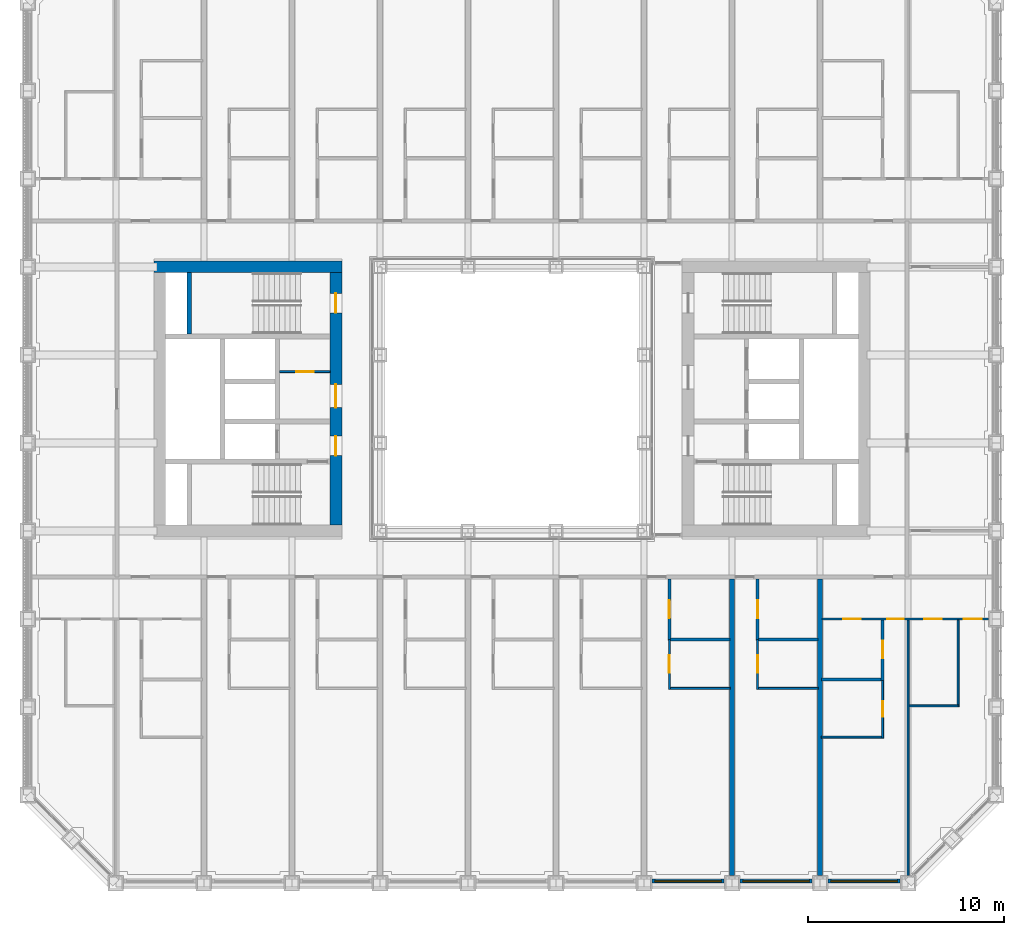
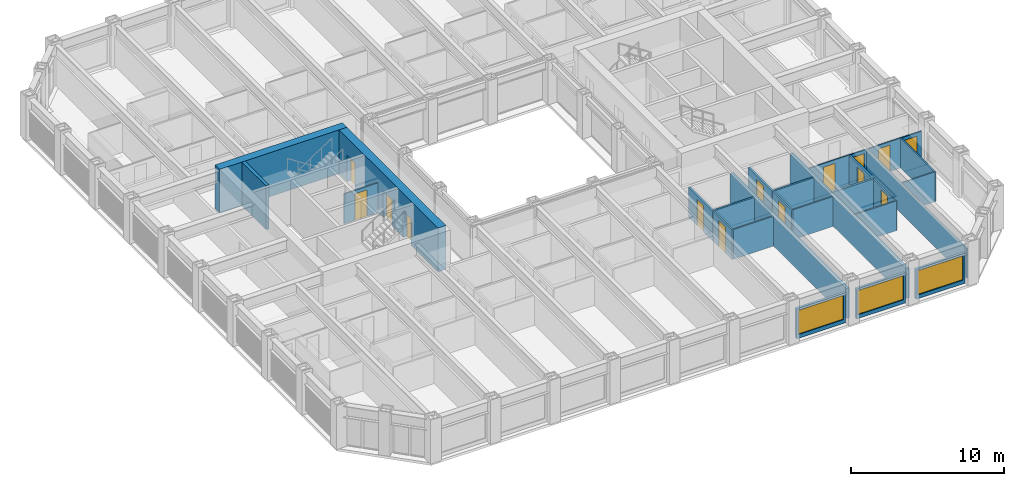
# One storey, part 11 of 21: 25 walls, 14 doors, 3 windows, 17 openings.
"""IFC4 building model written with IfcOpenShell, lengths in metres."""

import ifcopenshell
import ifcopenshell.guid

model = None  # the IFC model being written
_history = None  # IfcOwnerHistory: only IFC2X3 demands one
_inside = {}  # id of a spatial element -> (the spatial element, [elements in it])
_under = {}  # id of a project, library or spatial element -> (it, [spatial elements below it])
_declared = {}  # id of a project -> (the project, [libraries it declares])
_typed = {}  # id of a type object -> (the type object, [elements of that type])
_made_of = {}  # id of a material, layer set ... -> (it, [elements and type objects made of it])


def new_model(schema):
    """Start an empty IFC model of exactly this schema.

    Asked for "IFC4X3", IfcOpenShell would pick the latest addendum, in which some entities
    have other attributes; the version numbers below select the first issue.
    IFC2X3 requires an IfcOwnerHistory on every rooted entity: one is made here for all.
    """
    global model, _history
    if schema == "IFC4X3":
        model = ifcopenshell.file(schema_version=(4, 3, 0, 0))
    else:
        model = ifcopenshell.file(schema=schema)
    _inside.clear()
    _under.clear()
    _declared.clear()
    _typed.clear()
    _made_of.clear()
    _history = None
    if model.schema == "IFC2X3":
        org = make("IfcOrganization", Name="unknown")
        user = make(
            "IfcPersonAndOrganization",
            ThePerson=make("IfcPerson", FamilyName="unknown"),
            TheOrganization=org,
        )
        app = make(
            "IfcApplication",
            ApplicationDeveloper=org,
            Version="unknown",
            ApplicationFullName="unknown",
            ApplicationIdentifier="unknown",
        )
        _history = make(
            "IfcOwnerHistory",
            OwningUser=user,
            OwningApplication=app,
            ChangeAction="ADDED",
            CreationDate=0,
        )
    return model


def make(cls, **values):
    """One entity of the class cls with the attributes given. An attribute that is None is left unset."""
    return model.create_entity(
        cls, **{name: value for name, value in values.items() if value is not None}
    )


def rooted(cls, **values):
    """An entity with a GlobalId (a new one), such as an element, a storey or a relation."""
    return make(cls, GlobalId=ifcopenshell.guid.new(), OwnerHistory=_history, **values)


def si_unit(unit_type, name, prefix=None):
    """IfcSIUnit, for example si_unit("LENGTHUNIT", "METRE", prefix="MILLI")."""
    return make("IfcSIUnit", UnitType=unit_type, Prefix=prefix, Name=name)


def assignment(units):
    """IfcUnitAssignment: the units of a project."""
    return None if units is None else make("IfcUnitAssignment", Units=units)


def point(xyz):
    """IfcCartesianPoint."""
    return None if xyz is None else make("IfcCartesianPoint", Coordinates=xyz)


def direction(xyz):
    """IfcDirection."""
    return None if xyz is None else make("IfcDirection", DirectionRatios=xyz)


def frame(location, z_axis=None, x_axis=None):
    """IfcAxis2Placement3D, a coordinate frame: its origin and axes. An axis left out is left unset."""
    return make(
        "IfcAxis2Placement3D",
        Location=point(location),
        Axis=direction(z_axis),
        RefDirection=direction(x_axis),
    )


def frame_2d(location, x_axis=None):
    """IfcAxis2Placement2D, a coordinate frame in the plane: its origin and x axis."""
    return make(
        "IfcAxis2Placement2D", Location=point(location), RefDirection=direction(x_axis)
    )


def origin():
    """The frame at (0, 0, 0) with its axes left unset."""
    return frame((0.0, 0.0, 0.0))


def place(relative_to, where):
    """IfcLocalPlacement: puts the frame where relative to a parent placement (None: the world)."""
    return make(
        "IfcLocalPlacement", PlacementRelTo=relative_to, RelativePlacement=where
    )


def context(
    kind, dimensions, precision=None, world=None, true_north=None, identifier=None
):
    """IfcGeometricRepresentationContext, for example the 3D "Model" context."""
    return make(
        "IfcGeometricRepresentationContext",
        ContextIdentifier=identifier,
        ContextType=kind,
        CoordinateSpaceDimension=dimensions,
        Precision=precision,
        WorldCoordinateSystem=world,
        TrueNorth=true_north,
    )


def subcontext(parent, identifier, kind, view, scale=None):
    """IfcGeometricRepresentationSubContext, for example "Body" below "Model"."""
    return make(
        "IfcGeometricRepresentationSubContext",
        ContextIdentifier=identifier,
        ContextType=kind,
        ParentContext=parent,
        TargetScale=scale,
        TargetView=view,
    )


def project(units=None, contexts=None):
    """IfcProject with its units and contexts."""
    return rooted(
        "IfcProject",
        Name="project",
        RepresentationContexts=contexts,
        UnitsInContext=assignment(units),
    )


def spatial(cls, under=None, at=None, **own):
    """A site, building, storey or space (cls), placed at a placement, below another one or the project."""
    s = rooted(cls, ObjectPlacement=at, **own)
    if under is not None:
        _under.setdefault(under.id(), (under, []))[1].append(s)
    return s


def profile(cls, at=None, kind="AREA", **sizes):
    """A parametric profile (cls). Its sizes go by their IFC names, for example OverallWidth=200.0."""
    return make(cls, ProfileType=kind, Position=at, **sizes)


def rectangle(**sizes):
    """IfcRectangleProfileDef."""
    return profile("IfcRectangleProfileDef", **sizes)


def extrude(swept, where, along, depth):
    """IfcExtrudedAreaSolid: the profile swept, set in the frame where, extruded along a direction by depth."""
    return make(
        "IfcExtrudedAreaSolid",
        SweptArea=swept,
        Position=where,
        ExtrudedDirection=direction(along),
        Depth=depth,
    )


def shape(context_of_items, identifier, shape_type, items):
    """IfcShapeRepresentation: the items that make up one representation, for example the "Body"."""
    return make(
        "IfcShapeRepresentation",
        ContextOfItems=context_of_items,
        RepresentationIdentifier=identifier,
        RepresentationType=shape_type,
        Items=items,
    )


def material(Name=None, Category=None):
    """IfcMaterial."""
    return make("IfcMaterial", Name=Name, Category=Category)


def layer(
    of_material, thickness, ventilated=None, Name=None, Category=None, Priority=None
):
    """IfcMaterialLayer: one layer of a wall or slab, of a material (None: an air gap)."""
    return make(
        "IfcMaterialLayer",
        Material=of_material,
        LayerThickness=thickness,
        IsVentilated=ventilated,
        Name=Name,
        Category=Category,
        Priority=Priority,
    )


def layer_set(layers, Name=None):
    """IfcMaterialLayerSet."""
    return make("IfcMaterialLayerSet", MaterialLayers=layers, LayerSetName=Name)


def made_of(thing, what):
    """Note that an element or type object is made of a material, layer set ...; save() writes the relation."""
    if what is not None:
        _made_of.setdefault(what.id(), (what, []))[1].append(thing)
    return thing


def type_object(cls, material=None, **own):
    """A type object (cls), such as IfcWallType, which elements share."""
    return made_of(rooted(cls, **own), material)


def element(
    cls,
    number,
    at=None,
    inside=None,
    cuts=None,
    type_object=None,
    material=None,
    context=None,
    identifier="Body",
    shape_type=None,
    held_by="IfcProductDefinitionShape",
    body=None,
    shapes=None,
    **own,
):
    """One element of the class cls, such as IfcWall. Its Tag is "e" and its number.

    at: its placement. inside: the storey or other place that contains it. cuts: it is an
    opening in that element (IfcRelVoidsElement). A single representation is given by context,
    identifier, shape_type and body (its items); several are given by shapes. held_by: the class
    of the entity that holds the representations. save() writes the other relations.
    """
    e = rooted(cls, Tag="e%d" % number, ObjectPlacement=at, **own)
    if body is not None:
        shapes = [shape(context, identifier, shape_type, body)]
    if shapes is not None:
        e.Representation = make(held_by, Representations=shapes)
    if inside is not None:
        _inside.setdefault(inside.id(), (inside, []))[1].append(e)
    if cuts is not None:
        rooted(
            "IfcRelVoidsElement", RelatingBuildingElement=cuts, RelatedOpeningElement=e
        )
    if type_object is not None:
        _typed.setdefault(type_object.id(), (type_object, []))[1].append(e)
    return made_of(e, material)


def fill(opening, filler):
    """IfcRelFillsElement: the door or window that sits in an opening."""
    return rooted(
        "IfcRelFillsElement",
        RelatingOpeningElement=opening,
        RelatedBuildingElement=filler,
    )


def aggregate(whole, parts):
    """IfcRelAggregates: a whole, such as a stair, and the parts it consists of."""
    return rooted("IfcRelAggregates", RelatingObject=whole, RelatedObjects=parts)


def save(model, path):
    """Write the relations noted so far, then the file.

    IfcRelAggregates (storeys below a building ...), IfcRelContainedInSpatialStructure (elements
    in a storey), IfcRelDefinesByType, IfcRelAssociatesMaterial and IfcRelDeclares: one each for
    every whole, place, type object, material and project.
    """
    for whole, parts in _under.values():
        aggregate(whole, parts)
    for where, things in _inside.values():
        rooted(
            "IfcRelContainedInSpatialStructure",
            RelatedElements=things,
            RelatingStructure=where,
        )
    for kind, things in _typed.values():
        rooted("IfcRelDefinesByType", RelatedObjects=things, RelatingType=kind)
    for what, things in _made_of.values():
        rooted("IfcRelAssociatesMaterial", RelatedObjects=things, RelatingMaterial=what)
    for by, libraries in _declared.values():
        rooted("IfcRelDeclares", RelatingContext=by, RelatedDefinitions=libraries)
    model.write(path)


model = new_model("IFC4")

# Units and contexts
model_context = context("Model", 3, precision=1e-05, world=origin(), true_north=direction((0.0, 1.0)))
body_context = subcontext(model_context, "Body", "Model", "MODEL_VIEW")
ifc_project = project(units=[si_unit("LENGTHUNIT", "METRE"), si_unit("AREAUNIT", "SQUARE_METRE"), si_unit("VOLUMEUNIT", "CUBIC_METRE"), si_unit("PLANEANGLEUNIT", "RADIAN"), si_unit("MASSUNIT", "GRAM", prefix="KILO")], contexts=[model_context])

# Site, building, storey
site_placement = place(None, origin())
site = spatial("IfcSite", under=ifc_project, at=site_placement, CompositionType="ELEMENT")
building_placement = place(site_placement, origin())
building = spatial("IfcBuilding", under=site, at=building_placement, Name="Msasa Ring Tower", CompositionType="ELEMENT")
storey_placement = place(building_placement, frame((0.0, 0.0, 30.0)))
storey = spatial("IfcBuildingStorey", under=building, at=storey_placement, Name="L06", CompositionType="ELEMENT", Elevation=30.0)

# Wall
ifc_material_1 = material(Name="Concrete C60/75", Category="concrete")
ifc_layer_1 = layer(ifc_material_1, 0.60009765625)
ifc_layer_set_1 = layer_set([ifc_layer_1], Name="CW1 CORE WALL 600")
wall_type_1 = type_object("IfcWallType", Name="CW1 CORE WALL 600", PredefinedType="SHEAR", material=ifc_layer_set_1)
wall_1_placement = place(storey_placement, frame((-8.699951171875, 6.75, 0.0), z_axis=(0.0, 0.0, 1.0), x_axis=(-1.0, 0.0, 0.0)))
element("IfcWall", 1, at=wall_1_placement, inside=storey, type_object=wall_type_1, Name="W core wall N L06", PredefinedType="SHEAR", context=body_context, shape_type="SweptSolid", body=[
    extrude(rectangle(XDim=9.60009765625, YDim=0.60009765625, at=frame_2d((4.800048828125, 0.0))), origin(), (0.0, 0.0, 1.0), 3.5),
])

# Wall, openings, doors
wall_2_placement = place(storey_placement, frame((-9.0, -6.449951171875, 0.0), z_axis=(0.0, 0.0, 1.0), x_axis=(0.0, 1.0, 0.0)))
wall_2 = element("IfcWall", 2, at=wall_2_placement, inside=storey, type_object=wall_type_1, Name="W core wall W L06", PredefinedType="SHEAR", context=body_context, shape_type="SweptSolid", body=[
    extrude(rectangle(XDim=12.89990234375, YDim=0.60009765625, at=frame_2d((6.449951171875, 0.0))), origin(), (0.0, 0.0, 1.0), 3.5),
])
opening_1_placement = place(wall_2_placement, frame((3.550048828125, 0.0, 0.0)))
opening_1 = element("IfcOpeningElement", 3, at=opening_1_placement, cuts=wall_2, Name="Opening RA-045", PredefinedType="OPENING", context=body_context, shape_type="SweptSolid", body=[
    extrude(rectangle(XDim=1.0, YDim=2.10009765625, at=frame_2d((0.5, 1.050048828125))), frame((0.0, 0.31005859375, 0.0), z_axis=(0.0, -1.0, 0.0), x_axis=(1.0, 0.0, 0.0)), (0.0, 0.0, 1.0), 0.6201171875),
])
opening_2_placement = place(wall_2_placement, frame((6.0, 0.0, 0.0)))
opening_2 = element("IfcOpeningElement", 4, at=opening_2_placement, cuts=wall_2, Name="Opening RA-042", PredefinedType="OPENING", context=body_context, shape_type="SweptSolid", body=[
    extrude(rectangle(XDim=1.199951171875, YDim=2.10009765625, at=frame_2d((0.60009765625, 1.050048828125))), frame((0.0, 0.31005859375, 0.0), z_axis=(0.0, -1.0, 0.0), x_axis=(1.0, 0.0, 0.0)), (0.0, 0.0, 1.0), 0.6201171875),
])
opening_3_placement = place(wall_2_placement, frame((10.85009765625, 0.0, 0.0)))
opening_3 = element("IfcOpeningElement", 5, at=opening_3_placement, cuts=wall_2, Name="Opening RA-038", PredefinedType="OPENING", context=body_context, shape_type="SweptSolid", body=[
    extrude(rectangle(XDim=1.0, YDim=2.10009765625, at=frame_2d((0.5, 1.050048828125))), frame((0.0, 0.31005859375, 0.0), z_axis=(0.0, -1.0, 0.0), x_axis=(1.0, 0.0, 0.0)), (0.0, 0.0, 1.0), 0.6201171875),
])
ifc_material_2 = material(Name="Timber door leaf in a steel frame", Category="steel")
door_type_1 = type_object("IfcDoorType", Name="D26 WIDE SERVICE ROOM DOOR 1200x2100", OperationType="SINGLE_SWING_LEFT", PredefinedType="DOOR", material=ifc_material_2)
door_1_placement = place(opening_2_placement, origin())
door_1 = element("IfcDoor", 6, at=door_1_placement, inside=storey, type_object=door_type_1, Name="Door L06-WCR", OperationType="SINGLE_SWING_RIGHT", OverallHeight=2.10009765625, OverallWidth=1.199951171875, PredefinedType="DOOR", context=body_context, shape_type="SweptSolid", body=[
    extrude(rectangle(XDim=1.199951171875, YDim=2.10009765625, at=frame_2d((0.60009765625, 1.050048828125))), frame((0.0, 0.02490234375, 0.0), z_axis=(0.0, -1.0, 0.0), x_axis=(1.0, 0.0, 0.0)), (0.0, 0.0, 1.0), 0.050048828125),
])
fill(opening_2, door_1)
ifc_material_3 = material(Name="Timber door leaf in a steel frame", Category="steel")
door_type_2 = type_object("IfcDoorType", Name="D4 LOBBY DOOR 1000x2100", OperationType="SINGLE_SWING_LEFT", PredefinedType="DOOR", material=ifc_material_3)
door_2_placement = place(opening_1_placement, origin())
door_2 = element("IfcDoor", 7, at=door_2_placement, inside=storey, type_object=door_type_2, Name="Door L06-WFFL", OperationType="SINGLE_SWING_LEFT", OverallHeight=2.10009765625, OverallWidth=1.0, PredefinedType="DOOR", context=body_context, shape_type="SweptSolid", body=[
    extrude(rectangle(XDim=1.0, YDim=2.10009765625, at=frame_2d((0.5, 1.050048828125))), frame((0.0, 0.02490234375, 0.0), z_axis=(0.0, -1.0, 0.0), x_axis=(1.0, 0.0, 0.0)), (0.0, 0.0, 1.0), 0.050048828125),
])
fill(opening_1, door_2)
ifc_material_4 = material(Name="Timber door leaf in a steel frame", Category="steel")
door_type_3 = type_object("IfcDoorType", Name="D6 STAIR DOOR 1000x2100", OperationType="SINGLE_SWING_LEFT", PredefinedType="DOOR", material=ifc_material_4)
door_3_placement = place(opening_3_placement, origin())
door_3 = element("IfcDoor", 8, at=door_3_placement, inside=storey, type_object=door_type_3, Name="Door L06-WSTB", OperationType="SINGLE_SWING_RIGHT", OverallHeight=2.10009765625, OverallWidth=1.0, PredefinedType="DOOR", context=body_context, shape_type="SweptSolid", body=[
    extrude(rectangle(XDim=1.0, YDim=2.10009765625, at=frame_2d((0.5, 1.050048828125))), frame((0.0, 0.02490234375, 0.0), z_axis=(0.0, -1.0, 0.0), x_axis=(1.0, 0.0, 0.0)), (0.0, 0.0, 1.0), 0.050048828125),
])
fill(opening_3, door_3)

# Wall
ifc_material_5 = material(Name="Concrete C60/75", Category="concrete")
ifc_layer_2 = layer(ifc_material_5, 0.25)
ifc_layer_set_2 = layer_set([ifc_layer_2], Name="CW4 CORE INNER WALL 250")
wall_type_2 = type_object("IfcWallType", Name="CW4 CORE INNER WALL 250", PredefinedType="SHEAR", material=ifc_layer_set_2)
wall_3_placement = place(storey_placement, frame((-16.5, 3.324951171875, 0.0), z_axis=(0.0, 0.0, 1.0), x_axis=(0.0, 1.0, 0.0)))
element("IfcWall", 9, at=wall_3_placement, inside=storey, type_object=wall_type_2, Name="W core wall RISERB L06", PredefinedType="SHEAR", context=body_context, shape_type="SweptSolid", body=[
    extrude(rectangle(XDim=3.125, YDim=0.25, at=frame_2d((1.5625, 0.0))), origin(), (0.0, 0.0, 1.0), 3.5),
])

# Wall, opening, window
ifc_material_6 = material(Name="Terracotta rainscreen on blockwork", Category="masonry")
ifc_layer_3 = layer(ifc_material_6, 0.199951171875)
ifc_layer_set_3 = layer_set([ifc_layer_3], Name="FW1 TERRACOTTA-LINED INFILL BAY WALL 200")
wall_type_3 = type_object("IfcWallType", Name="FW1 TERRACOTTA-LINED INFILL BAY WALL 200", PredefinedType="SOLIDWALL", material=ifc_layer_set_3)
wall_4_placement = place(storey_placement, frame((7.155029296875, -24.64990234375, 0.0), z_axis=(0.0, 0.0, 1.0), x_axis=(1.0, 0.0, 0.0)))
wall_4 = element("IfcWall", 10, at=wall_4_placement, inside=storey, type_object=wall_type_3, Name="Infill bay wall S L06 06", PredefinedType="SOLIDWALL", context=body_context, shape_type="SweptSolid", body=[
    extrude(rectangle(XDim=3.68994140625, YDim=0.199951171875, at=frame_2d((1.844970703125, 0.0))), origin(), (0.0, 0.0, 1.0), 2.37890625),
])
opening_4_placement = place(wall_4_placement, frame((0.14501953125, 0.0, 0.300048828125)))
opening_4 = element("IfcOpeningElement", 11, at=opening_4_placement, cuts=wall_4, Name="Opening WN1", PredefinedType="OPENING", context=body_context, shape_type="SweptSolid", body=[
    extrude(rectangle(XDim=3.39990234375, YDim=1.928955078125, at=frame_2d((1.699951171875, 0.96435546875))), frame((0.0, 0.10986328125, 0.0), z_axis=(0.0, -1.0, 0.0), x_axis=(1.0, 0.0, 0.0)), (0.0, 0.0, 1.0), 0.219970703125),
])
ifc_material_7 = material(Name="Aluminium frame with clear glass", Category="aluminium")
window_type = type_object("IfcWindowType", Name="WN1 RESIDENCE WINDOW 3400x1929", PartitioningType="SINGLE_PANEL", PredefinedType="WINDOW", material=ifc_material_7)
window_1_placement = place(opening_4_placement, origin())
window_1 = element("IfcWindow", 12, at=window_1_placement, inside=storey, type_object=window_type, Name="Window S L06 06", OverallHeight=1.928955078125, OverallWidth=3.39990234375, PartitioningType="SINGLE_PANEL", PredefinedType="WINDOW", context=body_context, shape_type="SweptSolid", body=[
    extrude(rectangle(XDim=3.39990234375, YDim=1.928955078125, at=frame_2d((1.699951171875, 0.96435546875))), frame((0.0, 0.030029296875, 0.0), z_axis=(0.0, -1.0, 0.0), x_axis=(1.0, 0.0, 0.0)), (0.0, 0.0, 1.0), 0.06005859375),
])
fill(opening_4, window_1)

wall_5_placement = place(storey_placement, frame((11.655029296875, -24.64990234375, 0.0), z_axis=(0.0, 0.0, 1.0), x_axis=(1.0, 0.0, 0.0)))
wall_5 = element("IfcWall", 13, at=wall_5_placement, inside=storey, type_object=wall_type_3, Name="Infill bay wall S L06 07", PredefinedType="SOLIDWALL", context=body_context, shape_type="SweptSolid", body=[
    extrude(rectangle(XDim=3.68994140625, YDim=0.199951171875, at=frame_2d((1.844970703125, 0.0))), origin(), (0.0, 0.0, 1.0), 2.37890625),
])
opening_5_placement = place(wall_5_placement, frame((0.14501953125, 0.0, 0.300048828125)))
opening_5 = element("IfcOpeningElement", 14, at=opening_5_placement, cuts=wall_5, Name="Opening WN1", PredefinedType="OPENING", context=body_context, shape_type="SweptSolid", body=[
    extrude(rectangle(XDim=3.39990234375, YDim=1.928955078125, at=frame_2d((1.699951171875, 0.96435546875))), frame((0.0, 0.10986328125, 0.0), z_axis=(0.0, -1.0, 0.0), x_axis=(1.0, 0.0, 0.0)), (0.0, 0.0, 1.0), 0.219970703125),
])
window_2_placement = place(opening_5_placement, origin())
window_2 = element("IfcWindow", 15, at=window_2_placement, inside=storey, type_object=window_type, Name="Window S L06 07", OverallHeight=1.928955078125, OverallWidth=3.39990234375, PartitioningType="SINGLE_PANEL", PredefinedType="WINDOW", context=body_context, shape_type="SweptSolid", body=[
    extrude(rectangle(XDim=3.39990234375, YDim=1.928955078125, at=frame_2d((1.699951171875, 0.96435546875))), frame((0.0, 0.030029296875, 0.0), z_axis=(0.0, -1.0, 0.0), x_axis=(1.0, 0.0, 0.0)), (0.0, 0.0, 1.0), 0.06005859375),
])
fill(opening_5, window_2)

wall_6_placement = place(storey_placement, frame((16.155029296875, -24.64990234375, 0.0), z_axis=(0.0, 0.0, 1.0), x_axis=(1.0, 0.0, 0.0)))
wall_6 = element("IfcWall", 16, at=wall_6_placement, inside=storey, type_object=wall_type_3, Name="Infill bay wall S L06 08", PredefinedType="SOLIDWALL", context=body_context, shape_type="SweptSolid", body=[
    extrude(rectangle(XDim=3.68994140625, YDim=0.199951171875, at=frame_2d((1.844970703125, 0.0))), origin(), (0.0, 0.0, 1.0), 2.37890625),
])
opening_6_placement = place(wall_6_placement, frame((0.14501953125, 0.0, 0.300048828125)))
opening_6 = element("IfcOpeningElement", 17, at=opening_6_placement, cuts=wall_6, Name="Opening WN1", PredefinedType="OPENING", context=body_context, shape_type="SweptSolid", body=[
    extrude(rectangle(XDim=3.39990234375, YDim=1.928955078125, at=frame_2d((1.699951171875, 0.96435546875))), frame((0.0, 0.10986328125, 0.0), z_axis=(0.0, -1.0, 0.0), x_axis=(1.0, 0.0, 0.0)), (0.0, 0.0, 1.0), 0.219970703125),
])
window_3_placement = place(opening_6_placement, origin())
window_3 = element("IfcWindow", 18, at=window_3_placement, inside=storey, type_object=window_type, Name="Window S L06 08", OverallHeight=1.928955078125, OverallWidth=3.39990234375, PartitioningType="SINGLE_PANEL", PredefinedType="WINDOW", context=body_context, shape_type="SweptSolid", body=[
    extrude(rectangle(XDim=3.39990234375, YDim=1.928955078125, at=frame_2d((1.699951171875, 0.96435546875))), frame((0.0, 0.030029296875, 0.0), z_axis=(0.0, -1.0, 0.0), x_axis=(1.0, 0.0, 0.0)), (0.0, 0.0, 1.0), 0.06005859375),
])
fill(opening_6, window_3)

# Wall
ifc_material_8 = material(Name="Gypsum board on steel studs", Category="steel")
ifc_layer_4 = layer(ifc_material_8, 0.10009765625)
ifc_layer_set_4 = layer_set([ifc_layer_4], Name="PT2 STUD PARTITION 100")
wall_type_4 = type_object("IfcWallType", Name="PT2 STUD PARTITION 100", PredefinedType="PARTITIONING", material=ifc_layer_set_4)
wall_7_placement = place(storey_placement, frame((8.10009765625, -14.800048828125, 0.0), z_axis=(0.0, 0.0, 1.0), x_axis=(1.0, 0.0, 0.0)))
element("IfcWall", 19, at=wall_7_placement, inside=storey, type_object=wall_type_4, Name="Partition L06-US06KY", PredefinedType="PARTITIONING", context=body_context, shape_type="SweptSolid", body=[
    extrude(rectangle(XDim=3.0498046875, YDim=0.10009765625, at=frame_2d((1.52490234375, 0.0))), origin(), (0.0, 0.0, 1.0), 2.373291015625),
])

# Wall, opening, door
wall_8_placement = place(storey_placement, frame((8.050048828125, -14.85009765625, 0.0), z_axis=(0.0, 0.0, 1.0), x_axis=(0.0, 1.0, 0.0)))
wall_8 = element("IfcWall", 20, at=wall_8_placement, inside=storey, type_object=wall_type_4, Name="Partition L06-US06KX", PredefinedType="PARTITIONING", context=body_context, shape_type="SweptSolid", body=[
    extrude(rectangle(XDim=2.550048828125, YDim=0.10009765625, at=frame_2d((1.27490234375, 0.0))), origin(), (0.0, 0.0, 1.0), 2.373291015625),
])
opening_7_placement = place(wall_8_placement, frame((0.840087890625, 0.0, 0.0)))
opening_7 = element("IfcOpeningElement", 21, at=opening_7_placement, cuts=wall_8, Name="Opening RA-082", PredefinedType="OPENING", context=body_context, shape_type="SweptSolid", body=[
    extrude(rectangle(XDim=0.89990234375, YDim=2.10009765625, at=frame_2d((0.449951171875, 1.050048828125))), frame((0.0, 0.06005859375, 0.0), z_axis=(0.0, -1.0, 0.0), x_axis=(1.0, 0.0, 0.0)), (0.0, 0.0, 1.0), 0.1201171875),
])
ifc_material_9 = material(Name="Timber door leaf in a steel frame", Category="steel")
door_type_4 = type_object("IfcDoorType", Name="D22 INTERNAL HALL DOOR 900x2100", OperationType="SINGLE_SWING_LEFT", PredefinedType="DOOR", material=ifc_material_9)
door_4_placement = place(opening_7_placement, origin())
door_4 = element("IfcDoor", 22, at=door_4_placement, inside=storey, type_object=door_type_4, Name="Door L06-US06K", OperationType="SINGLE_SWING_LEFT", OverallHeight=2.10009765625, OverallWidth=0.89990234375, PredefinedType="DOOR", context=body_context, shape_type="SweptSolid", body=[
    extrude(rectangle(XDim=0.89990234375, YDim=2.10009765625, at=frame_2d((0.449951171875, 1.050048828125))), frame((0.0, 0.02490234375, 0.0), z_axis=(0.0, -1.0, 0.0), x_axis=(1.0, 0.0, 0.0)), (0.0, 0.0, 1.0), 0.050048828125),
])
fill(opening_7, door_4)

# Wall
wall_9_placement = place(storey_placement, frame((12.60009765625, -14.800048828125, 0.0), z_axis=(0.0, 0.0, 1.0), x_axis=(1.0, 0.0, 0.0)))
element("IfcWall", 23, at=wall_9_placement, inside=storey, type_object=wall_type_4, Name="Partition L06-US07KY", PredefinedType="PARTITIONING", context=body_context, shape_type="SweptSolid", body=[
    extrude(rectangle(XDim=3.0498046875, YDim=0.10009765625, at=frame_2d((1.52490234375, 0.0))), origin(), (0.0, 0.0, 1.0), 2.373291015625),
])

# Wall, opening, door
wall_10_placement = place(storey_placement, frame((12.550048828125, -14.85009765625, 0.0), z_axis=(0.0, 0.0, 1.0), x_axis=(0.0, 1.0, 0.0)))
wall_10 = element("IfcWall", 24, at=wall_10_placement, inside=storey, type_object=wall_type_4, Name="Partition L06-US07KX", PredefinedType="PARTITIONING", context=body_context, shape_type="SweptSolid", body=[
    extrude(rectangle(XDim=2.550048828125, YDim=0.10009765625, at=frame_2d((1.27490234375, 0.0))), origin(), (0.0, 0.0, 1.0), 2.373291015625),
])
opening_8_placement = place(wall_10_placement, frame((0.840087890625, 0.0, 0.0)))
opening_8 = element("IfcOpeningElement", 25, at=opening_8_placement, cuts=wall_10, Name="Opening RA-083", PredefinedType="OPENING", context=body_context, shape_type="SweptSolid", body=[
    extrude(rectangle(XDim=0.89990234375, YDim=2.10009765625, at=frame_2d((0.449951171875, 1.050048828125))), frame((0.0, 0.06005859375, 0.0), z_axis=(0.0, -1.0, 0.0), x_axis=(1.0, 0.0, 0.0)), (0.0, 0.0, 1.0), 0.1201171875),
])
door_5_placement = place(opening_8_placement, origin())
door_5 = element("IfcDoor", 26, at=door_5_placement, inside=storey, type_object=door_type_4, Name="Door L06-US07K", OperationType="SINGLE_SWING_LEFT", OverallHeight=2.10009765625, OverallWidth=0.89990234375, PredefinedType="DOOR", context=body_context, shape_type="SweptSolid", body=[
    extrude(rectangle(XDim=0.89990234375, YDim=2.10009765625, at=frame_2d((0.449951171875, 1.050048828125))), frame((0.0, 0.02490234375, 0.0), z_axis=(0.0, -1.0, 0.0), x_axis=(1.0, 0.0, 0.0)), (0.0, 0.0, 1.0), 0.050048828125),
])
fill(opening_8, door_5)

# Wall, openings, doors
wall_11_placement = place(storey_placement, frame((15.85009765625, -11.25, 0.0), z_axis=(0.0, 0.0, 1.0), x_axis=(1.0, 0.0, 0.0)))
wall_11 = element("IfcWall", 27, at=wall_11_placement, inside=storey, type_object=wall_type_4, Name="Partition L06-US08HY", PredefinedType="PARTITIONING", context=body_context, shape_type="SweptSolid", body=[
    extrude(rectangle(XDim=8.5, YDim=0.10009765625, at=frame_2d((4.25, 0.0))), origin(), (0.0, 0.0, 1.0), 2.373291015625),
])
opening_9_placement = place(wall_11_placement, frame((5.22509765625, 0.0, 0.0)))
opening_9 = element("IfcOpeningElement", 28, at=opening_9_placement, cuts=wall_11, Name="Opening RA-073", PredefinedType="OPENING", context=body_context, shape_type="SweptSolid", body=[
    extrude(rectangle(XDim=0.89990234375, YDim=2.10009765625, at=frame_2d((0.449951171875, 1.050048828125))), frame((0.0, 0.06005859375, 0.0), z_axis=(0.0, -1.0, 0.0), x_axis=(1.0, 0.0, 0.0)), (0.0, 0.0, 1.0), 0.1201171875),
])
opening_10_placement = place(wall_11_placement, frame((7.25, 0.0, 0.0)))
opening_10 = element("IfcOpeningElement", 29, at=opening_10_placement, cuts=wall_11, Name="Opening RA-074", PredefinedType="OPENING", context=body_context, shape_type="SweptSolid", body=[
    extrude(rectangle(XDim=0.89990234375, YDim=2.10009765625, at=frame_2d((0.449951171875, 1.050048828125))), frame((0.0, 0.06005859375, 0.0), z_axis=(0.0, -1.0, 0.0), x_axis=(1.0, 0.0, 0.0)), (0.0, 0.0, 1.0), 0.1201171875),
])
opening_11_placement = place(wall_11_placement, frame((3.324951171875, 0.0, 0.0)))
opening_11 = element("IfcOpeningElement", 30, at=opening_11_placement, cuts=wall_11, Name="Opening RA-072", PredefinedType="OPENING", context=body_context, shape_type="SweptSolid", body=[
    extrude(rectangle(XDim=0.85009765625, YDim=2.10009765625, at=frame_2d((0.425048828125, 1.050048828125))), frame((0.0, 0.06005859375, 0.0), z_axis=(0.0, -1.0, 0.0), x_axis=(1.0, 0.0, 0.0)), (0.0, 0.0, 1.0), 0.1201171875),
])
opening_12_placement = place(wall_11_placement, frame((1.080078125, 0.0, 0.0)))
opening_12 = element("IfcOpeningElement", 31, at=opening_12_placement, cuts=wall_11, Name="Opening RA-071", PredefinedType="OPENING", context=body_context, shape_type="SweptSolid", body=[
    extrude(rectangle(XDim=0.89990234375, YDim=2.10009765625, at=frame_2d((0.449951171875, 1.050048828125))), frame((0.0, 0.06005859375, 0.0), z_axis=(0.0, -1.0, 0.0), x_axis=(1.0, 0.0, 0.0)), (0.0, 0.0, 1.0), 0.1201171875),
])
ifc_material_10 = material(Name="Timber door leaf in a steel frame", Category="steel")
door_type_5 = type_object("IfcDoorType", Name="D14 BEDROOM DOOR 850x2100", OperationType="SINGLE_SWING_LEFT", PredefinedType="DOOR", material=ifc_material_10)
door_6_placement = place(opening_11_placement, origin())
door_6 = element("IfcDoor", 32, at=door_6_placement, inside=storey, type_object=door_type_5, Name="Door L06-US08R1", OperationType="SINGLE_SWING_LEFT", OverallHeight=2.10009765625, OverallWidth=0.85009765625, PredefinedType="DOOR", context=body_context, shape_type="SweptSolid", body=[
    extrude(rectangle(XDim=0.85009765625, YDim=2.10009765625, at=frame_2d((0.425048828125, 1.050048828125))), frame((0.0, 0.02490234375, 0.0), z_axis=(0.0, -1.0, 0.0), x_axis=(1.0, 0.0, 0.0)), (0.0, 0.0, 1.0), 0.050048828125),
])
fill(opening_11, door_6)
door_7_placement = place(opening_9_placement, origin())
door_7 = element("IfcDoor", 33, at=door_7_placement, inside=storey, type_object=door_type_4, Name="Door L06-US08K", OperationType="SINGLE_SWING_RIGHT", OverallHeight=2.10009765625, OverallWidth=0.89990234375, PredefinedType="DOOR", context=body_context, shape_type="SweptSolid", body=[
    extrude(rectangle(XDim=0.89990234375, YDim=2.10009765625, at=frame_2d((0.449951171875, 1.050048828125))), frame((0.0, 0.02490234375, 0.0), z_axis=(0.0, -1.0, 0.0), x_axis=(1.0, 0.0, 0.0)), (0.0, 0.0, 1.0), 0.050048828125),
])
fill(opening_9, door_7)
door_8_placement = place(opening_10_placement, origin())
door_8 = element("IfcDoor", 34, at=door_8_placement, inside=storey, type_object=door_type_4, Name="Door L06-US08L", OperationType="SINGLE_SWING_RIGHT", OverallHeight=2.10009765625, OverallWidth=0.89990234375, PredefinedType="DOOR", context=body_context, shape_type="SweptSolid", body=[
    extrude(rectangle(XDim=0.89990234375, YDim=2.10009765625, at=frame_2d((0.449951171875, 1.050048828125))), frame((0.0, 0.02490234375, 0.0), z_axis=(0.0, -1.0, 0.0), x_axis=(1.0, 0.0, 0.0)), (0.0, 0.0, 1.0), 0.050048828125),
])
fill(opening_10, door_8)
ifc_material_11 = material(Name="Timber door leaf in a steel frame", Category="steel")
door_type_6 = type_object("IfcDoorType", Name="D3 BATHROOM DOOR 900x2100", OperationType="SINGLE_SWING_LEFT", PredefinedType="DOOR", material=ifc_material_11)
door_9_placement = place(opening_12_placement, origin())
door_9 = element("IfcDoor", 35, at=door_9_placement, inside=storey, type_object=door_type_6, Name="Door L06-US08BH1", OperationType="SINGLE_SWING_LEFT", OverallHeight=2.10009765625, OverallWidth=0.89990234375, PredefinedType="DOOR", context=body_context, shape_type="SweptSolid", body=[
    extrude(rectangle(XDim=0.89990234375, YDim=2.10009765625, at=frame_2d((0.449951171875, 1.050048828125))), frame((0.0, 0.02490234375, 0.0), z_axis=(0.0, -1.0, 0.0), x_axis=(1.0, 0.0, 0.0)), (0.0, 0.0, 1.0), 0.050048828125),
])
fill(opening_12, door_9)

# Walls
wall_12_placement = place(storey_placement, frame((22.800048828125, -15.7421875, 0.0), z_axis=(0.0, 0.0, 1.0), x_axis=(0.0, 1.0, 0.0)))
element("IfcWall", 36, at=wall_12_placement, inside=storey, type_object=wall_type_4, Name="Partition L06-US08KX", PredefinedType="PARTITIONING", context=body_context, shape_type="SweptSolid", body=[
    extrude(rectangle(XDim=4.442138671875, YDim=0.10009765625, at=frame_2d((2.22119140625, 0.0))), origin(), (0.0, 0.0, 1.0), 2.373291015625),
])
wall_13_placement = place(storey_placement, frame((20.300048828125, -15.692138671875, 0.0), z_axis=(0.0, 0.0, 1.0), x_axis=(1.0, 0.0, 0.0)))
element("IfcWall", 37, at=wall_13_placement, inside=storey, type_object=wall_type_4, Name="Partition L06-US08KY", PredefinedType="PARTITIONING", context=body_context, shape_type="SweptSolid", body=[
    extrude(rectangle(XDim=2.5, YDim=0.10009765625, at=frame_2d((1.25, 0.0))), origin(), (0.0, 0.0, 1.0), 2.373291015625),
])
wall_14_placement = place(storey_placement, frame((20.25, -24.35009765625, 0.0), z_axis=(0.0, 0.0, 1.0), x_axis=(0.0, 1.0, 0.0)))
element("IfcWall", 38, at=wall_14_placement, inside=storey, type_object=wall_type_4, Name="Partition L06-US08P1", PredefinedType="PARTITIONING", context=body_context, shape_type="SweptSolid", body=[
    extrude(rectangle(XDim=13.050048828125, YDim=0.10009765625, at=frame_2d((6.52490234375, 0.0))), origin(), (0.0, 0.0, 1.0), 2.373291015625),
])

# Wall, opening, door
wall_15_placement = place(storey_placement, frame((18.949951171875, -17.3408203125, 0.0), z_axis=(0.0, 0.0, 1.0), x_axis=(0.0, 1.0, 0.0)))
wall_15 = element("IfcWall", 39, at=wall_15_placement, inside=storey, type_object=wall_type_4, Name="Partition L06-US08WX1", PredefinedType="PARTITIONING", context=body_context, shape_type="SweptSolid", body=[
    extrude(rectangle(XDim=2.94091796875, YDim=0.10009765625, at=frame_2d((1.470458984375, 0.0))), origin(), (0.0, 0.0, 1.0), 2.373291015625),
])
opening_13_placement = place(wall_15_placement, frame((1.095458984375, 0.0, 0.0)))
opening_13 = element("IfcOpeningElement", 40, at=opening_13_placement, cuts=wall_15, Name="Opening RA-085", PredefinedType="OPENING", context=body_context, shape_type="SweptSolid", body=[
    extrude(rectangle(XDim=0.800048828125, YDim=2.10009765625, at=frame_2d((0.39990234375, 1.050048828125))), frame((0.0, 0.06005859375, 0.0), z_axis=(0.0, -1.0, 0.0), x_axis=(1.0, 0.0, 0.0)), (0.0, 0.0, 1.0), 0.1201171875),
])
ifc_material_12 = material(Name="Timber door leaf in a steel frame", Category="steel")
door_type_7 = type_object("IfcDoorType", Name="D60 DRESSING ROOM DOOR 800x2100", OperationType="SINGLE_SWING_LEFT", PredefinedType="DOOR", material=ifc_material_12)
door_10_placement = place(opening_13_placement, origin())
door_10 = element("IfcDoor", 41, at=door_10_placement, inside=storey, type_object=door_type_7, Name="Door L06-US08W1", OperationType="SINGLE_SWING_LEFT", OverallHeight=2.10009765625, OverallWidth=0.800048828125, PredefinedType="DOOR", context=body_context, shape_type="SweptSolid", body=[
    extrude(rectangle(XDim=0.800048828125, YDim=2.10009765625, at=frame_2d((0.39990234375, 1.050048828125))), frame((0.0, 0.02490234375, 0.0), z_axis=(0.0, -1.0, 0.0), x_axis=(1.0, 0.0, 0.0)), (0.0, 0.0, 1.0), 0.050048828125),
])
fill(opening_13, door_10)

# Wall
wall_16_placement = place(storey_placement, frame((15.81005859375, -17.291015625, 0.0), z_axis=(0.0, 0.0, 1.0), x_axis=(1.0, 0.0, 0.0)))
element("IfcWall", 42, at=wall_16_placement, inside=storey, type_object=wall_type_4, Name="Partition L06-US08WY1", PredefinedType="PARTITIONING", context=body_context, shape_type="SweptSolid", body=[
    extrude(rectangle(XDim=3.139892578125, YDim=0.10009765625, at=frame_2d((1.56982421875, 0.0))), origin(), (0.0, 0.0, 1.0), 2.373291015625),
])

# Wall, opening, door
wall_17_placement = place(storey_placement, frame((-11.875, 1.39990234375, 0.0), z_axis=(0.0, 0.0, 1.0), x_axis=(1.0, 0.0, 0.0)))
wall_17 = element("IfcWall", 43, at=wall_17_placement, inside=storey, type_object=wall_type_4, Name="Partition L06-WCP", PredefinedType="PARTITIONING", context=body_context, shape_type="SweptSolid", body=[
    extrude(rectangle(XDim=2.574951171875, YDim=0.10009765625, at=frame_2d((1.28759765625, 0.0))), origin(), (0.0, 0.0, 1.0), 2.373291015625),
])
opening_14_placement = place(wall_17_placement, frame((0.83740234375, 0.0, 0.0)))
opening_14 = element("IfcOpeningElement", 44, at=opening_14_placement, cuts=wall_17, Name="Opening RA-040", PredefinedType="OPENING", context=body_context, shape_type="SweptSolid", body=[
    extrude(rectangle(XDim=0.89990234375, YDim=2.10009765625, at=frame_2d((0.449951171875, 1.050048828125))), frame((0.0, 0.06005859375, 0.0), z_axis=(0.0, -1.0, 0.0), x_axis=(1.0, 0.0, 0.0)), (0.0, 0.0, 1.0), 0.1201171875),
])
door_11_placement = place(opening_14_placement, origin())
door_11 = element("IfcDoor", 45, at=door_11_placement, inside=storey, type_object=door_type_4, Name="Door L06-WCP", OperationType="SINGLE_SWING_LEFT", OverallHeight=2.10009765625, OverallWidth=0.89990234375, PredefinedType="DOOR", context=body_context, shape_type="SweptSolid", body=[
    extrude(rectangle(XDim=0.89990234375, YDim=2.10009765625, at=frame_2d((0.449951171875, 1.050048828125))), frame((0.0, 0.02490234375, 0.0), z_axis=(0.0, -1.0, 0.0), x_axis=(1.0, 0.0, 0.0)), (0.0, 0.0, 1.0), 0.050048828125),
])
fill(opening_14, door_11)

# Walls
ifc_material_13 = material(Name="Dense concrete blockwork, plastered both faces", Category="masonry")
ifc_layer_5 = layer(ifc_material_13, 0.25)
ifc_layer_set_5 = layer_set([ifc_layer_5], Name="PT3 APARTMENT SEPARATING WALL 250")
wall_type_5 = type_object("IfcWallType", Name="PT3 APARTMENT SEPARATING WALL 250", PredefinedType="PARTITIONING", material=ifc_layer_set_5)
for number, where, z_axis, x_axis, name in (
    (46, (11.25, -24.35009765625, 0.0), (0.0, 0.0, 1.0), (0.0, 1.0, 0.0), "Party wall L06-PWS+11.25"),
    (47, (15.75, -24.35009765625, 0.0), (0.0, 0.0, 1.0), (0.0, 1.0, 0.0), "Party wall L06-PWS+15.75"),
):
    element("IfcWall", number, at=place(storey_placement, frame(where, z_axis=z_axis, x_axis=x_axis)), inside=storey, type_object=wall_type_5, Name=name, PredefinedType="PARTITIONING", context=body_context, shape_type="SweptSolid", body=[
        extrude(rectangle(XDim=15.150146484375, YDim=0.25, at=frame_2d((7.5751953125, 0.0))), origin(), (0.0, 0.0, 1.0), 2.373291015625),
    ])

# Wall, opening, door
ifc_material_14 = material(Name="Moisture-resistant board on steel studs with a concealed cistern and pipe void, tiled", Category="steel")
ifc_layer_6 = layer(ifc_material_14, 0.14990234375)
ifc_layer_set_6 = layer_set([ifc_layer_6], Name="PT4 BATHROOM WET WALL 150")
wall_type_6 = type_object("IfcWallType", Name="PT4 BATHROOM WET WALL 150", PredefinedType="PARTITIONING", material=ifc_layer_set_6)
wall_18_placement = place(storey_placement, frame((8.050048828125, -12.35009765625, 0.0), z_axis=(0.0, 0.0, 1.0), x_axis=(0.0, 1.0, 0.0)))
wall_18 = element("IfcWall", 48, at=wall_18_placement, inside=storey, type_object=wall_type_6, Name="Partition L06-US06BX", PredefinedType="PARTITIONING", context=body_context, shape_type="SweptSolid", body=[
    extrude(rectangle(XDim=3.150146484375, YDim=0.14990234375, at=frame_2d((1.5751953125, 0.0))), origin(), (0.0, 0.0, 1.0), 2.373291015625),
])
opening_15_placement = place(wall_18_placement, frame((1.14990234375, 0.0, 0.0)))
opening_15 = element("IfcOpeningElement", 49, at=opening_15_placement, cuts=wall_18, Name="Opening RA-065", PredefinedType="OPENING", context=body_context, shape_type="SweptSolid", body=[
    extrude(rectangle(XDim=0.89990234375, YDim=2.10009765625, at=frame_2d((0.449951171875, 1.050048828125))), frame((0.0, 0.0849609375, 0.0), z_axis=(0.0, -1.0, 0.0), x_axis=(1.0, 0.0, 0.0)), (0.0, 0.0, 1.0), 0.169921875),
])
door_12_placement = place(opening_15_placement, origin())
door_12 = element("IfcDoor", 50, at=door_12_placement, inside=storey, type_object=door_type_6, Name="Door L06-US06B", OperationType="SINGLE_SWING_LEFT", OverallHeight=2.10009765625, OverallWidth=0.89990234375, PredefinedType="DOOR", context=body_context, shape_type="SweptSolid", body=[
    extrude(rectangle(XDim=0.89990234375, YDim=2.10009765625, at=frame_2d((0.449951171875, 1.050048828125))), frame((0.0, 0.02490234375, 0.0), z_axis=(0.0, -1.0, 0.0), x_axis=(1.0, 0.0, 0.0)), (0.0, 0.0, 1.0), 0.050048828125),
])
fill(opening_15, door_12)

# Wall
wall_19_placement = place(storey_placement, frame((8.10009765625, -12.300048828125, 0.0), z_axis=(0.0, 0.0, 1.0), x_axis=(1.0, 0.0, 0.0)))
element("IfcWall", 51, at=wall_19_placement, inside=storey, type_object=wall_type_6, Name="Partition L06-US06BY", PredefinedType="PARTITIONING", context=body_context, shape_type="SweptSolid", body=[
    extrude(rectangle(XDim=3.0498046875, YDim=0.14990234375, at=frame_2d((1.52490234375, 0.0))), origin(), (0.0, 0.0, 1.0), 2.373291015625),
])

# Wall, opening, door
wall_20_placement = place(storey_placement, frame((12.550048828125, -12.35009765625, 0.0), z_axis=(0.0, 0.0, 1.0), x_axis=(0.0, 1.0, 0.0)))
wall_20 = element("IfcWall", 52, at=wall_20_placement, inside=storey, type_object=wall_type_6, Name="Partition L06-US07BX", PredefinedType="PARTITIONING", context=body_context, shape_type="SweptSolid", body=[
    extrude(rectangle(XDim=3.150146484375, YDim=0.14990234375, at=frame_2d((1.5751953125, 0.0))), origin(), (0.0, 0.0, 1.0), 2.373291015625),
])
opening_16_placement = place(wall_20_placement, frame((1.14990234375, 0.0, 0.0)))
opening_16 = element("IfcOpeningElement", 53, at=opening_16_placement, cuts=wall_20, Name="Opening RA-066", PredefinedType="OPENING", context=body_context, shape_type="SweptSolid", body=[
    extrude(rectangle(XDim=0.89990234375, YDim=2.10009765625, at=frame_2d((0.449951171875, 1.050048828125))), frame((0.0, 0.0849609375, 0.0), z_axis=(0.0, -1.0, 0.0), x_axis=(1.0, 0.0, 0.0)), (0.0, 0.0, 1.0), 0.169921875),
])
door_13_placement = place(opening_16_placement, origin())
door_13 = element("IfcDoor", 54, at=door_13_placement, inside=storey, type_object=door_type_6, Name="Door L06-US07B", OperationType="SINGLE_SWING_LEFT", OverallHeight=2.10009765625, OverallWidth=0.89990234375, PredefinedType="DOOR", context=body_context, shape_type="SweptSolid", body=[
    extrude(rectangle(XDim=0.89990234375, YDim=2.10009765625, at=frame_2d((0.449951171875, 1.050048828125))), frame((0.0, 0.02490234375, 0.0), z_axis=(0.0, -1.0, 0.0), x_axis=(1.0, 0.0, 0.0)), (0.0, 0.0, 1.0), 0.050048828125),
])
fill(opening_16, door_13)

# Wall
wall_21_placement = place(storey_placement, frame((12.60009765625, -12.300048828125, 0.0), z_axis=(0.0, 0.0, 1.0), x_axis=(1.0, 0.0, 0.0)))
element("IfcWall", 55, at=wall_21_placement, inside=storey, type_object=wall_type_6, Name="Partition L06-US07BY", PredefinedType="PARTITIONING", context=body_context, shape_type="SweptSolid", body=[
    extrude(rectangle(XDim=3.0498046875, YDim=0.14990234375, at=frame_2d((1.52490234375, 0.0))), origin(), (0.0, 0.0, 1.0), 2.373291015625),
])

# Wall, opening, door
wall_22_placement = place(storey_placement, frame((18.949951171875, -14.39990234375, 0.0), z_axis=(0.0, 0.0, 1.0), x_axis=(0.0, 1.0, 0.0)))
wall_22 = element("IfcWall", 56, at=wall_22_placement, inside=storey, type_object=wall_type_6, Name="Partition L06-US08BX1", PredefinedType="PARTITIONING", context=body_context, shape_type="SweptSolid", body=[
    extrude(rectangle(XDim=3.099853515625, YDim=0.14990234375, at=frame_2d((1.5498046875, 0.0))), origin(), (0.0, 0.0, 1.0), 2.373291015625),
])
opening_17_placement = place(wall_22_placement, frame((1.14990234375, 0.0, 0.0)))
opening_17 = element("IfcOpeningElement", 57, at=opening_17_placement, cuts=wall_22, Name="Opening RA-076", PredefinedType="OPENING", context=body_context, shape_type="SweptSolid", body=[
    extrude(rectangle(XDim=0.89990234375, YDim=2.10009765625, at=frame_2d((0.449951171875, 1.050048828125))), frame((0.0, 0.0849609375, 0.0), z_axis=(0.0, -1.0, 0.0), x_axis=(1.0, 0.0, 0.0)), (0.0, 0.0, 1.0), 0.169921875),
])
door_14_placement = place(opening_17_placement, origin())
door_14 = element("IfcDoor", 58, at=door_14_placement, inside=storey, type_object=door_type_6, Name="Door L06-US08B1", OperationType="SINGLE_SWING_RIGHT", OverallHeight=2.10009765625, OverallWidth=0.89990234375, PredefinedType="DOOR", context=body_context, shape_type="SweptSolid", body=[
    extrude(rectangle(XDim=0.89990234375, YDim=2.10009765625, at=frame_2d((0.449951171875, 1.050048828125))), frame((0.0, 0.02490234375, 0.0), z_axis=(0.0, -1.0, 0.0), x_axis=(1.0, 0.0, 0.0)), (0.0, 0.0, 1.0), 0.050048828125),
])
fill(opening_17, door_14)

# Wall
wall_23_placement = place(storey_placement, frame((15.81005859375, -14.35009765625, 0.0), z_axis=(0.0, 0.0, 1.0), x_axis=(1.0, 0.0, 0.0)))
element("IfcWall", 59, at=wall_23_placement, inside=storey, type_object=wall_type_6, Name="Partition L06-US08BY1", PredefinedType="PARTITIONING", context=body_context, shape_type="SweptSolid", body=[
    extrude(rectangle(XDim=3.139892578125, YDim=0.14990234375, at=frame_2d((1.56982421875, 0.0))), origin(), (0.0, 0.0, 1.0), 2.373291015625),
])

save(model, "model.ifc")
